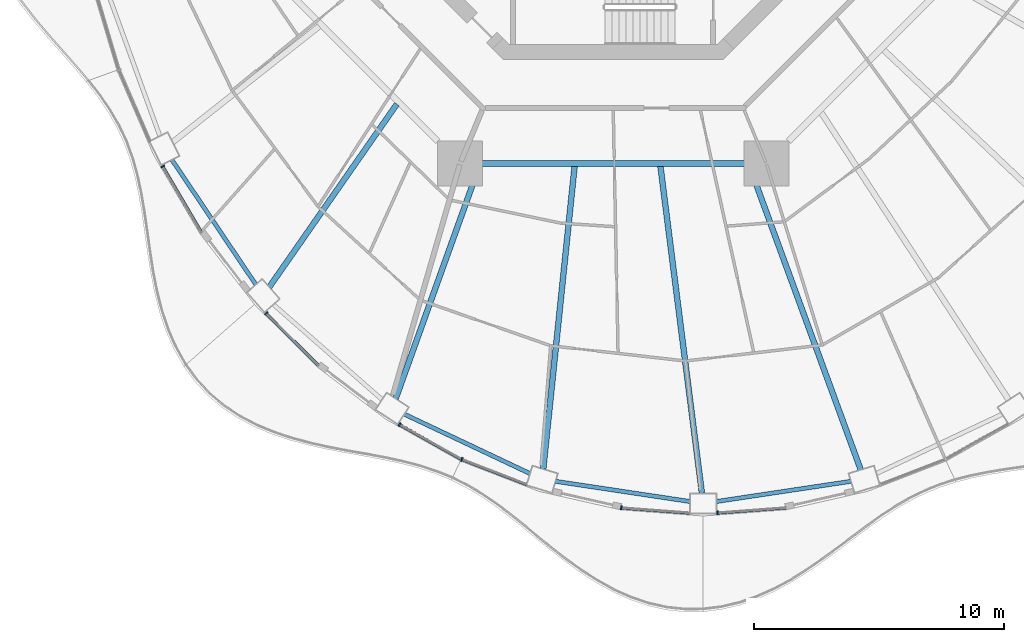
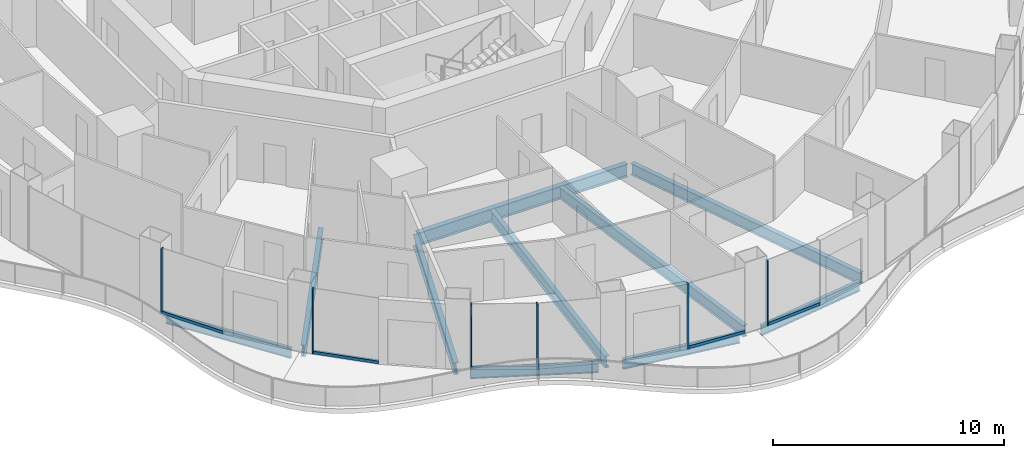
# One storey, part 2 of 19: 12 members, 10 beams, 6 elements without a shape of their own.
"""IFC4 building model written with IfcOpenShell, lengths in metres."""

from ifc_helpers import new_model, si_unit, direction, frame, origin, origin_2d, place, context, subcontext, project, spatial, rectangle, i_section, extrude, material, layer, layer_set, material_profile, profile_set, type_object, element, aggregate, save


model = new_model("IFC4")

# Units and contexts
model_context = context("Model", 3, precision=1e-05, world=origin(), true_north=direction((0.0, 1.0)))
body_context = subcontext(model_context, "Body", "Model", "MODEL_VIEW")
ifc_project = project(units=[si_unit("LENGTHUNIT", "METRE"), si_unit("AREAUNIT", "SQUARE_METRE"), si_unit("VOLUMEUNIT", "CUBIC_METRE"), si_unit("PLANEANGLEUNIT", "RADIAN"), si_unit("MASSUNIT", "GRAM", prefix="KILO")], contexts=[model_context])

# Site, building, storey
site_placement = place(None, origin())
site = spatial("IfcSite", under=ifc_project, at=site_placement, CompositionType="ELEMENT")
building_placement = place(site_placement, origin())
building = spatial("IfcBuilding", under=site, at=building_placement, Name="Nagisa Residences", CompositionType="ELEMENT")
storey_placement = place(building_placement, frame((0.0, 0.0, 199.199951171875)))
storey = spatial("IfcBuildingStorey", under=building, at=storey_placement, Name="L50", CompositionType="ELEMENT", Elevation=199.199951171875)

# Curtain wall, member
ifc_material_1 = material(Name="Concrete-coloured aluminium curtain wall system", Category="concrete")
ifc_layer = layer(ifc_material_1, 0.159912109375)
ifc_layer_set = layer_set([ifc_layer], Name="CW1 CURTAIN WALL")
curtain_wall_type = type_object("IfcCurtainWallType", Name="CW1 CURTAIN WALL", PredefinedType="NOTDEFINED", material=ifc_layer_set)
curtain_wall_1_placement = place(storey_placement, origin())
curtain_wall_1 = element("IfcCurtainWall", 1, at=curtain_wall_1_placement, inside=storey, type_object=curtain_wall_type, Name="cw:CW1:L50:28", PredefinedType="NOTDEFINED")
ifc_material_2 = material(Name="Concrete-coloured aluminium", Category="concrete")
ifc_material_profile_1 = material_profile(ifc_material_2, rectangle(XDim=0.159912109375, YDim=0.06005859375, at=origin_2d()), Name="CW1 MULLION 160x60")
ifc_profile_set_1 = profile_set([ifc_material_profile_1], Name="Concrete-coloured aluminium")
member_type_1 = type_object("IfcMemberType", Name="CW1 MULLION 160x60", PredefinedType="MULLION", material=ifc_profile_set_1)
member_1_placement = place(storey_placement, frame((-18.0126953125, -14.897216796875, 0.0), z_axis=(0.0, 0.0, 1.0), x_axis=(0.862328898214, 0.506348567002, 0.0)))
member_1 = element("IfcMember", 2, at=member_1_placement, type_object=member_type_1, Name="CW1 mullion", PredefinedType="MULLION", context=body_context, shape_type="SweptSolid", body=[
    extrude(rectangle(XDim=0.159912109375, YDim=0.06005859375, at=origin_2d()), origin(), (0.0, 0.0, 1.0), 3.43994140625),
])

curtain_wall_2_placement = place(storey_placement, origin())
curtain_wall_2 = element("IfcCurtainWall", 3, at=curtain_wall_2_placement, inside=storey, type_object=curtain_wall_type, Name="cw:CW1:L50:30", PredefinedType="NOTDEFINED")
member_2_placement = place(storey_placement, frame((-13.875732421875, -20.770751953125, 0.0), z_axis=(0.0, 0.0, 1.0), x_axis=(0.706376885714, 0.707835924016, 0.0)))
member_2 = element("IfcMember", 4, at=member_2_placement, type_object=member_type_1, Name="CW1 mullion", PredefinedType="MULLION", context=body_context, shape_type="SweptSolid", body=[
    extrude(rectangle(XDim=0.159912109375, YDim=0.06005859375, at=origin_2d()), origin(), (0.0, 0.0, 1.0), 3.43994140625),
])

curtain_wall_3_placement = place(storey_placement, origin())
curtain_wall_3 = element("IfcCurtainWall", 5, at=curtain_wall_3_placement, inside=storey, type_object=curtain_wall_type, Name="cw:CW1:L50:32", PredefinedType="NOTDEFINED")
member_3_placement = place(storey_placement, frame((-8.54248046875, -25.220458984375, 0.0), z_axis=(0.0, 0.0, 1.0), x_axis=(0.489376918501, 0.872072377523, 0.0)))
member_3 = element("IfcMember", 6, at=member_3_placement, type_object=member_type_1, Name="CW1 mullion", PredefinedType="MULLION", context=body_context, shape_type="SweptSolid", body=[
    extrude(rectangle(XDim=0.159912109375, YDim=0.06005859375, at=origin_2d()), origin(), (0.0, 0.0, 1.0), 3.43994140625),
])

curtain_wall_4_placement = place(storey_placement, origin())
curtain_wall_4 = element("IfcCurtainWall", 7, at=curtain_wall_4_placement, inside=storey, type_object=curtain_wall_type, Name="cw:CW1:L50:33", PredefinedType="NOTDEFINED")
member_4_placement = place(storey_placement, frame((-6.0537109375, -26.61328125, 0.0), z_axis=(0.0, 0.0, 1.0), x_axis=(0.360327770268, 0.932825759707, 0.0)))
member_4 = element("IfcMember", 8, at=member_4_placement, type_object=member_type_1, Name="CW1 mullion", PredefinedType="MULLION", context=body_context, shape_type="SweptSolid", body=[
    extrude(rectangle(XDim=0.159912109375, YDim=0.06005859375, at=origin_2d()), origin(), (0.0, 0.0, 1.0), 3.43994140625),
])

curtain_wall_5_placement = place(storey_placement, origin())
curtain_wall_5 = element("IfcCurtainWall", 9, at=curtain_wall_5_placement, inside=storey, type_object=curtain_wall_type, Name="cw:CW1:L50:35", PredefinedType="NOTDEFINED")
member_5_placement = place(storey_placement, frame((0.32373046875, -28.550537109375, 0.0), z_axis=(0.0, 0.0, 1.0), x_axis=(0.074377355493, 0.997230168512, 0.0)))
member_5 = element("IfcMember", 10, at=member_5_placement, type_object=member_type_1, Name="CW1 mullion", PredefinedType="MULLION", context=body_context, shape_type="SweptSolid", body=[
    extrude(rectangle(XDim=0.159912109375, YDim=0.06005859375, at=origin_2d()), origin(), (0.0, 0.0, 1.0), 3.43994140625),
])

curtain_wall_6_placement = place(storey_placement, origin())
curtain_wall_6 = element("IfcCurtainWall", 11, at=curtain_wall_6_placement, inside=storey, type_object=curtain_wall_type, Name="cw:CW1:L50:36", PredefinedType="NOTDEFINED")
member_6_placement = place(storey_placement, frame((4.17236328125, -28.752197265625, 0.0), z_axis=(0.0, 0.0, 1.0), x_axis=(-0.074377355493, 0.997230168512, 0.0)))
member_6 = element("IfcMember", 12, at=member_6_placement, type_object=member_type_1, Name="CW1 mullion", PredefinedType="MULLION", context=body_context, shape_type="SweptSolid", body=[
    extrude(rectangle(XDim=0.159912109375, YDim=0.06005859375, at=origin_2d()), origin(), (0.0, 0.0, 1.0), 3.43994140625),
])

# Member
ifc_material_3 = material(Name="Concrete-coloured aluminium", Category="concrete")
ifc_material_profile_2 = material_profile(ifc_material_3, rectangle(XDim=0.1201171875, YDim=0.14990234375, at=origin_2d()), Name="CW1 TRANSOM 120x150")
ifc_profile_set_2 = profile_set([ifc_material_profile_2], Name="Concrete-coloured aluminium")
member_type_2 = type_object("IfcMemberType", Name="CW1 TRANSOM 120x150", PredefinedType="USERDEFINED", material=ifc_profile_set_2)
member_7_placement = place(storey_placement, frame((-18.02783203125, -14.871337890625, 0.074951171875), z_axis=(0.506309086483, -0.862352079458, 0.0), x_axis=(0.862352079458, 0.506309086483, 0.0)))
member_7 = element("IfcMember", 13, at=member_7_placement, type_object=member_type_2, Name="CW1 transom", ObjectType="TRANSOM", PredefinedType="USERDEFINED", context=body_context, shape_type="SweptSolid", body=[
    extrude(rectangle(XDim=0.1201171875, YDim=0.14990234375, at=origin_2d()), origin(), (0.0, 0.0, 1.0), 3.091796875),
])

aggregate(curtain_wall_1, [member_1, member_7])

member_8_placement = place(storey_placement, frame((-13.89697265625, -20.74951171875, 0.074951171875), z_axis=(0.707803821372, -0.706409053206, 0.0), x_axis=(0.706409053206, 0.707803821372, 0.0)))
member_8 = element("IfcMember", 14, at=member_8_placement, type_object=member_type_2, Name="CW1 transom", ObjectType="TRANSOM", PredefinedType="USERDEFINED", context=body_context, shape_type="SweptSolid", body=[
    extrude(rectangle(XDim=0.1201171875, YDim=0.14990234375, at=origin_2d()), origin(), (0.0, 0.0, 1.0), 2.9755859375),
])

aggregate(curtain_wall_2, [member_2, member_8])

member_9_placement = place(storey_placement, frame((-8.568603515625, -25.205810546875, 0.074951171875), z_axis=(0.872057843239, -0.489402817774, 0.0), x_axis=(0.489402817774, 0.872057843239, 0.0)))
member_9 = element("IfcMember", 15, at=member_9_placement, type_object=member_type_2, Name="CW1 transom", ObjectType="TRANSOM", PredefinedType="USERDEFINED", context=body_context, shape_type="SweptSolid", body=[
    extrude(rectangle(XDim=0.1201171875, YDim=0.14990234375, at=origin_2d()), origin(), (0.0, 0.0, 1.0), 2.863525390625),
])

aggregate(curtain_wall_3, [member_3, member_9])

member_10_placement = place(storey_placement, frame((-6.081787109375, -26.602294921875, 0.074951171875), z_axis=(0.932806734513, -0.360377019311, 0.0), x_axis=(0.360377019311, 0.932806734513, 0.0)))
member_10 = element("IfcMember", 16, at=member_10_placement, type_object=member_type_2, Name="CW1 transom", ObjectType="TRANSOM", PredefinedType="USERDEFINED", context=body_context, shape_type="SweptSolid", body=[
    extrude(rectangle(XDim=0.1201171875, YDim=0.14990234375, at=origin_2d()), origin(), (0.0, 0.0, 1.0), 2.819580078125),
])

aggregate(curtain_wall_4, [member_4, member_10])

member_11_placement = place(storey_placement, frame((0.2939453125, -28.548095703125, 0.074951171875), z_axis=(0.99722504052, -0.074446078208, 0.0), x_axis=(0.074446078208, 0.99722504052, 0.0)))
member_11 = element("IfcMember", 17, at=member_11_placement, type_object=member_type_2, Name="CW1 transom", ObjectType="TRANSOM", PredefinedType="USERDEFINED", context=body_context, shape_type="SweptSolid", body=[
    extrude(rectangle(XDim=0.1201171875, YDim=0.14990234375, at=origin_2d()), origin(), (0.0, 0.0, 1.0), 2.77099609375),
])

aggregate(curtain_wall_5, [member_5, member_11])

member_12_placement = place(storey_placement, frame((4.142578125, -28.75439453125, 0.074951171875), z_axis=(0.997225528735, 0.074439538143, 0.0), x_axis=(-0.074439538143, 0.997225528735, 0.0)))
member_12 = element("IfcMember", 18, at=member_12_placement, type_object=member_type_2, Name="CW1 transom", ObjectType="TRANSOM", PredefinedType="USERDEFINED", context=body_context, shape_type="SweptSolid", body=[
    extrude(rectangle(XDim=0.1201171875, YDim=0.14990234375, at=origin_2d()), origin(), (0.0, 0.0, 1.0), 2.771240234375),
])

aggregate(curtain_wall_6, [member_6, member_12])

# Beams
ifc_material_4 = material(Name="Steel ASTM A572 Gr 50", Category="steel")
ifc_material_profile_3 = material_profile(ifc_material_4, i_section(OverallWidth=0.25390625, OverallDepth=0.68408203125, WebThickness=0.012451171875, FlangeThickness=0.018798828125, at=origin_2d()), Name="W690x140")
ifc_profile_set_3 = profile_set([ifc_material_profile_3], Name="Steel ASTM A572 Gr 50")
beam_type_1 = type_object("IfcBeamType", Name="Inner ring beam W690x140", PredefinedType="BEAM", material=ifc_profile_set_3)
beam_1_placement = place(storey_placement, frame((-5.242919921875, -14.781982421875, -0.60205078125), z_axis=(1.0, 0.0, 0.0), x_axis=(0.0, 1.0, 0.0)))
element("IfcBeam", 19, at=beam_1_placement, inside=storey, type_object=beam_type_1, Name="beam:L50:ib6", PredefinedType="BEAM", context=body_context, shape_type="SweptSolid", body=[
    extrude(i_section(OverallWidth=0.25390625, OverallDepth=0.68408203125, WebThickness=0.012451171875, FlangeThickness=0.018798828125, at=origin_2d()), origin(), (0.0, 0.0, 1.0), 10.48583984375),
])
ifc_material_5 = material(Name="Steel ASTM A572 Gr 50", Category="steel")
ifc_material_profile_4 = material_profile(ifc_material_5, i_section(OverallWidth=0.166015625, OverallDepth=0.534912109375, WebThickness=0.01025390625, FlangeThickness=0.0166015625, at=origin_2d()), Name="W530x85")
ifc_profile_set_4 = profile_set([ifc_material_profile_4], Name="Steel ASTM A572 Gr 50")
beam_type_2 = type_object("IfcBeamType", Name="Perimeter ring beam W530x85", PredefinedType="BEAM", material=ifc_profile_set_4)
beam_2_placement = place(storey_placement, frame((-17.644287109375, -14.630615234375, -0.52734375), z_axis=(0.558152301307, -0.829738518177, 0.0), x_axis=(0.829738518177, 0.558152301307, 0.0)))
element("IfcBeam", 20, at=beam_2_placement, inside=storey, type_object=beam_type_2, Name="beam:L50:pb15", PredefinedType="BEAM", context=body_context, shape_type="SweptSolid", body=[
    extrude(i_section(OverallWidth=0.166015625, OverallDepth=0.534912109375, WebThickness=0.01025390625, FlangeThickness=0.0166015625, at=origin_2d()), origin(), (0.0, 0.0, 1.0), 6.013916015625),
])
beam_3_placement = place(storey_placement, frame((-8.353515625, -24.80224609375, -0.52734375), z_axis=(0.904157325884, -0.427199637232, 0.0), x_axis=(0.427199637232, 0.904157325884, 0.0)))
element("IfcBeam", 21, at=beam_3_placement, inside=storey, type_object=beam_type_2, Name="beam:L50:pb17", PredefinedType="BEAM", context=body_context, shape_type="SweptSolid", body=[
    extrude(i_section(OverallWidth=0.166015625, OverallDepth=0.534912109375, WebThickness=0.01025390625, FlangeThickness=0.0166015625, at=origin_2d()), origin(), (0.0, 0.0, 1.0), 5.56396484375),
])
for number, where, z_axis, x_axis, name in (
    (22, (-2.30810546875, -27.48779296875, -0.52734375), (0.988911312658, -0.148507291732, 0.0), (0.148507291732, 0.988911312658, 0.0), "beam:L50:pb18"),
    (23, (4.130126953125, -28.29541015625, -0.52734375), (0.988911312658, 0.148507291732, 0.0), (-0.148507291732, 0.988911312658, 0.0), "beam:L50:pb19"),
):
    element("IfcBeam", number, at=place(storey_placement, frame(where, z_axis=z_axis, x_axis=x_axis)), inside=storey, type_object=beam_type_2, Name=name, PredefinedType="BEAM", context=body_context, shape_type="SweptSolid", body=[
        extrude(i_section(OverallWidth=0.166015625, OverallDepth=0.534912109375, WebThickness=0.01025390625, FlangeThickness=0.0166015625, at=origin_2d()), origin(), (0.0, 0.0, 1.0), 5.438232421875),
    ])
ifc_material_6 = material(Name="Steel ASTM A572 Gr 50", Category="steel")
ifc_material_profile_5 = material_profile(ifc_material_6, i_section(OverallWidth=0.22802734375, OverallDepth=0.60302734375, WebThickness=0.010498046875, FlangeThickness=0.014892578125, at=origin_2d()), Name="W610x101")
ifc_profile_set_5 = profile_set([ifc_material_profile_5], Name="Steel ASTM A572 Gr 50")
beam_type_3 = type_object("IfcBeamType", Name="Radial beam W610x101", PredefinedType="BEAM", material=ifc_profile_set_5)
beam_4_placement = place(storey_placement, frame((-13.75048828125, -19.7216796875, -0.5615234375), z_axis=(0.571934479253, 0.82029930601, 0.0), x_axis=(-0.82029930601, 0.571934479253, 0.0)))
element("IfcBeam", 24, at=beam_4_placement, inside=storey, type_object=beam_type_3, Name="beam:L50:rb16", PredefinedType="BEAM", context=body_context, shape_type="SweptSolid", body=[
    extrude(i_section(OverallWidth=0.22802734375, OverallDepth=0.60302734375, WebThickness=0.010498046875, FlangeThickness=0.014892578125, at=origin_2d()), origin(), (0.0, 0.0, 1.0), 8.917724609375),
])
beam_5_placement = place(storey_placement, frame((-8.6962890625, -24.180908203125, -0.5615234375), z_axis=(0.338417364879, 0.940996114311, 0.0), x_axis=(-0.940996114311, 0.338417364879, 0.0)))
element("IfcBeam", 25, at=beam_5_placement, inside=storey, type_object=beam_type_3, Name="beam:L50:rb17", PredefinedType="BEAM", context=body_context, shape_type="SweptSolid", body=[
    extrude(i_section(OverallWidth=0.22802734375, OverallDepth=0.60302734375, WebThickness=0.010498046875, FlangeThickness=0.014892578125, at=origin_2d()), origin(), (0.0, 0.0, 1.0), 9.873291015625),
])
beam_6_placement = place(storey_placement, frame((-2.795654296875, -26.997314453125, -0.5615234375), z_axis=(0.103007948723, 0.994680532885, 0.0), x_axis=(-0.994680532885, 0.103007948723, 0.0)))
element("IfcBeam", 26, at=beam_6_placement, inside=storey, type_object=beam_type_3, Name="beam:L50:rb18", PredefinedType="BEAM", context=body_context, shape_type="SweptSolid", body=[
    extrude(i_section(OverallWidth=0.22802734375, OverallDepth=0.60302734375, WebThickness=0.010498046875, FlangeThickness=0.014892578125, at=origin_2d()), origin(), (0.0, 0.0, 1.0), 12.1728515625),
])
beam_7_placement = place(storey_placement, frame((3.548583984375, -27.9697265625, -0.5615234375), z_axis=(-0.125871302495, 0.992046579153, 0.0), x_axis=(-0.992046579153, -0.125871302495, 0.0)))
element("IfcBeam", 27, at=beam_7_placement, inside=storey, type_object=beam_type_3, Name="beam:L50:rb19", PredefinedType="BEAM", context=body_context, shape_type="SweptSolid", body=[
    extrude(i_section(OverallWidth=0.22802734375, OverallDepth=0.60302734375, WebThickness=0.010498046875, FlangeThickness=0.014892578125, at=origin_2d()), origin(), (0.0, 0.0, 1.0), 13.185546875),
])
beam_8_placement = place(storey_placement, frame((9.898681640625, -27.02734375, -0.5615234375), z_axis=(-0.343903309659, 0.939005065804, 0.0), x_axis=(-0.939005065804, -0.343903309659, 0.0)))
element("IfcBeam", 28, at=beam_8_placement, inside=storey, type_object=beam_type_3, Name="beam:L50:rb20", PredefinedType="BEAM", context=body_context, shape_type="SweptSolid", body=[
    extrude(i_section(OverallWidth=0.22802734375, OverallDepth=0.60302734375, WebThickness=0.010498046875, FlangeThickness=0.014892578125, at=origin_2d()), origin(), (0.0, 0.0, 1.0), 12.92529296875),
])

save(model, "model.ifc")
